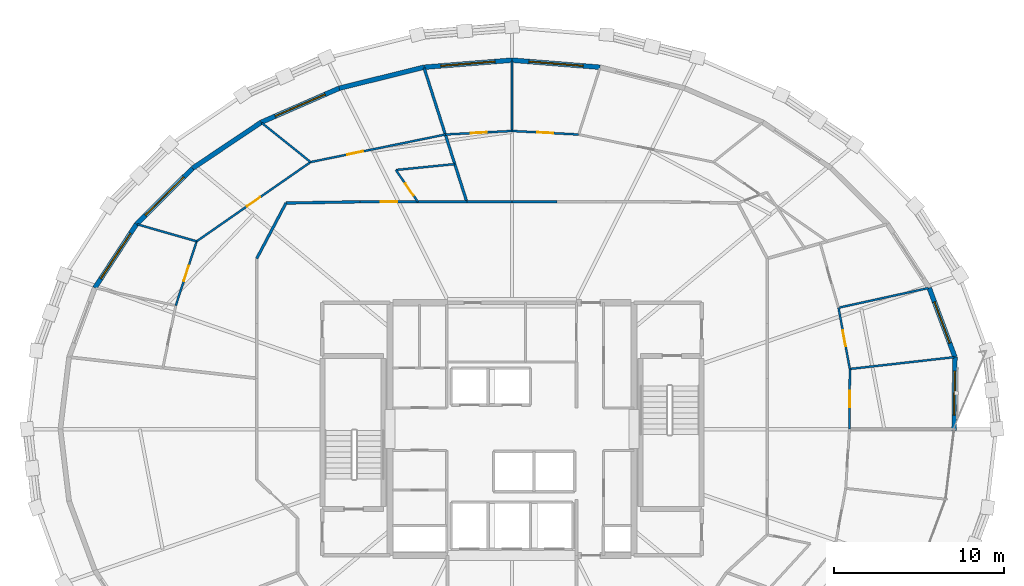
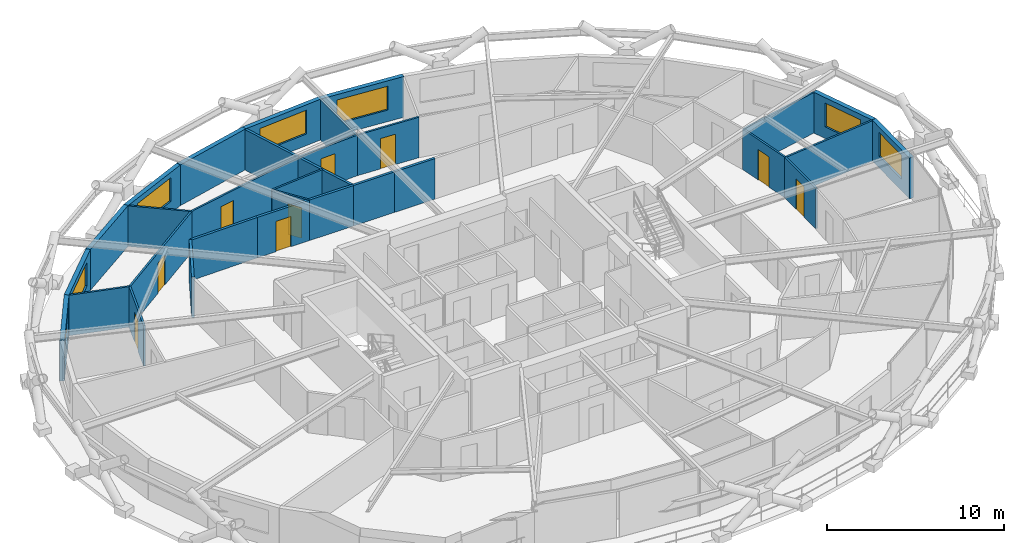
# One storey, part 17 of 21: 30 walls, 9 doors, 7 windows, 16 openings.
"""IFC4 building model written with IfcOpenShell, lengths in metres."""

from ifc_helpers import new_model, si_unit, direction, frame, frame_2d, origin, place, context, subcontext, project, spatial, rectangle, extrude, material, layer, layer_set, type_object, element, fill, save


model = new_model("IFC4")

# Units and contexts
model_context = context("Model", 3, precision=1e-05, world=origin(), true_north=direction((0.0, 1.0)))
body_context = subcontext(model_context, "Body", "Model", "MODEL_VIEW")
ifc_project = project(units=[si_unit("LENGTHUNIT", "METRE"), si_unit("AREAUNIT", "SQUARE_METRE"), si_unit("VOLUMEUNIT", "CUBIC_METRE"), si_unit("PLANEANGLEUNIT", "RADIAN"), si_unit("MASSUNIT", "GRAM", prefix="KILO")], contexts=[model_context])

# Site, building, storey
site_placement = place(None, origin())
site = spatial("IfcSite", under=ifc_project, at=site_placement, CompositionType="ELEMENT")
building_placement = place(site_placement, origin())
building = spatial("IfcBuilding", under=site, at=building_placement, Name="Veldorina Hangang Commons", CompositionType="ELEMENT")
storey_placement = place(building_placement, frame((0.0, 0.0, 128.0)))
storey = spatial("IfcBuildingStorey", under=building, at=storey_placement, Name="L32", CompositionType="ELEMENT", Elevation=128.0)

# Wall, opening, window
ifc_material_1 = material(Name="Stone Roman Travertine", Category="masonry")
ifc_layer_1 = layer(ifc_material_1, 0.280029296875)
ifc_layer_set_1 = layer_set([ifc_layer_1], Name="Stone Roman Travertine")
wall_type_1 = type_object("IfcWallType", Name="EW-TRAV-280", PredefinedType="STANDARD", material=ifc_layer_set_1)
wall_1_placement = place(storey_placement, frame((58.064453125, 23.907958984375, 0.0), z_axis=(0.0, 0.0, 1.0), x_axis=(0.011431364304, 0.99993465982, 0.0)))
wall_1 = element("IfcWall", 1, at=wall_1_placement, inside=storey, type_object=wall_type_1, Name="L32 travertine facade wall 00", PredefinedType="STANDARD", context=body_context, shape_type="SweptSolid", body=[
    extrude(rectangle(XDim=4.33544921875, YDim=0.280029296875, at=frame_2d((2.167724609375, 0.0))), origin(), (0.0, 0.0, 1.0), 2.820068359375),
])
opening_1_placement = place(wall_1_placement, frame((0.913818359375, 0.0, 0.800048828125)))
opening_1 = element("IfcOpeningElement", 2, at=opening_1_placement, cuts=wall_1, Name="Opening W-02", PredefinedType="OPENING", context=body_context, shape_type="SweptSolid", body=[
    extrude(rectangle(XDim=2.60009765625, YDim=1.64990234375, at=frame_2d((1.300048828125, 0.824951171875))), frame((0.0, 0.14990234375, 0.0), z_axis=(0.0, -1.0, 0.0), x_axis=(1.0, 0.0, 0.0)), (0.0, 0.0, 1.0), 0.300048828125),
])
ifc_material_2 = material(Name="Glass Low-E Triple IGU", Category="glass")
window_type_1 = type_object("IfcWindowType", Name="WIN-TWR-2600", PartitioningType="SINGLE_PANEL", PredefinedType="WINDOW", material=ifc_material_2)
window_1_placement = place(opening_1_placement, origin())
window_1 = element("IfcWindow", 3, at=window_1_placement, inside=storey, type_object=window_type_1, Name="L32 facade window 00", OverallHeight=1.64990234375, OverallWidth=2.60009765625, PartitioningType="SINGLE_PANEL", PredefinedType="WINDOW", context=body_context, shape_type="SweptSolid", body=[
    extrude(rectangle(XDim=2.60009765625, YDim=1.64990234375, at=frame_2d((1.300048828125, 0.824951171875))), frame((0.0, 0.030029296875, 0.0), z_axis=(0.0, -1.0, 0.0), x_axis=(1.0, 0.0, 0.0)), (0.0, 0.0, 1.0), 0.06005859375),
])
fill(opening_1, window_1)

wall_2_placement = place(storey_placement, frame((58.114013671875, 28.2431640625, 0.0), z_axis=(0.0, 0.0, 1.0), x_axis=(-0.348121742576, 0.937449333215, 0.0)))
wall_2 = element("IfcWall", 4, at=wall_2_placement, inside=storey, type_object=wall_type_1, Name="L32 travertine facade wall 01", PredefinedType="STANDARD", context=body_context, shape_type="SweptSolid", body=[
    extrude(rectangle(XDim=4.352294921875, YDim=0.280029296875, at=frame_2d((2.17626953125, 0.0))), origin(), (0.0, 0.0, 1.0), 2.820068359375),
])
opening_2_placement = place(wall_2_placement, frame((0.876220703125, 0.0, 0.800048828125)))
opening_2 = element("IfcOpeningElement", 5, at=opening_2_placement, cuts=wall_2, Name="Opening W-02", PredefinedType="OPENING", context=body_context, shape_type="SweptSolid", body=[
    extrude(rectangle(XDim=2.60009765625, YDim=1.64990234375, at=frame_2d((1.300048828125, 0.824951171875))), frame((0.0, 0.14990234375, 0.0), z_axis=(0.0, -1.0, 0.0), x_axis=(1.0, 0.0, 0.0)), (0.0, 0.0, 1.0), 0.300048828125),
])
window_2_placement = place(opening_2_placement, origin())
window_2 = element("IfcWindow", 6, at=window_2_placement, inside=storey, type_object=window_type_1, Name="L32 facade window 01", OverallHeight=1.64990234375, OverallWidth=2.60009765625, PartitioningType="SINGLE_PANEL", PredefinedType="WINDOW", context=body_context, shape_type="SweptSolid", body=[
    extrude(rectangle(XDim=2.60009765625, YDim=1.64990234375, at=frame_2d((1.300048828125, 0.824951171875))), frame((0.0, 0.030029296875, 0.0), z_axis=(0.0, -1.0, 0.0), x_axis=(1.0, 0.0, 0.0)), (0.0, 0.0, 1.0), 0.06005859375),
])
fill(opening_2, window_2)

wall_3_placement = place(storey_placement, frame((37.1943359375, 45.33203125, 0.0), z_axis=(0.0, 0.0, 1.0), x_axis=(-0.996778227936, 0.080207009129, 0.0)))
wall_3 = element("IfcWall", 7, at=wall_3_placement, inside=storey, type_object=wall_type_1, Name="L32 travertine facade wall 07", PredefinedType="STANDARD", context=body_context, shape_type="SweptSolid", body=[
    extrude(rectangle(XDim=5.211181640625, YDim=0.280029296875, at=frame_2d((2.60546875, 0.0))), origin(), (0.0, 0.0, 1.0), 2.820068359375),
])
opening_3_placement = place(wall_3_placement, frame((1.005615234375, 0.0, 0.800048828125)))
opening_3 = element("IfcOpeningElement", 8, at=opening_3_placement, cuts=wall_3, Name="Opening W-01", PredefinedType="OPENING", context=body_context, shape_type="SweptSolid", body=[
    extrude(rectangle(XDim=3.199951171875, YDim=1.64990234375, at=frame_2d((1.60009765625, 0.824951171875))), frame((0.0, 0.14990234375, 0.0), z_axis=(0.0, -1.0, 0.0), x_axis=(1.0, 0.0, 0.0)), (0.0, 0.0, 1.0), 0.300048828125),
])
window_type_2 = type_object("IfcWindowType", Name="WIN-TWR-3200", PartitioningType="SINGLE_PANEL", PredefinedType="WINDOW", material=ifc_material_2)
window_3_placement = place(opening_3_placement, origin())
window_3 = element("IfcWindow", 9, at=window_3_placement, inside=storey, type_object=window_type_2, Name="L32 facade window 07", OverallHeight=1.64990234375, OverallWidth=3.199951171875, PartitioningType="SINGLE_PANEL", PredefinedType="WINDOW", context=body_context, shape_type="SweptSolid", body=[
    extrude(rectangle(XDim=3.199951171875, YDim=1.64990234375, at=frame_2d((1.60009765625, 0.824951171875))), frame((0.0, 0.030029296875, 0.0), z_axis=(0.0, -1.0, 0.0), x_axis=(1.0, 0.0, 0.0)), (0.0, 0.0, 1.0), 0.06005859375),
])
fill(opening_3, window_3)

wall_4_placement = place(storey_placement, frame((32.0, 45.75, 0.0), z_axis=(0.0, 0.0, 1.0), x_axis=(-0.996778227936, -0.080207009129, 0.0)))
wall_4 = element("IfcWall", 10, at=wall_4_placement, inside=storey, type_object=wall_type_1, Name="L32 travertine facade wall 08", PredefinedType="STANDARD", context=body_context, shape_type="SweptSolid", body=[
    extrude(rectangle(XDim=5.211181640625, YDim=0.280029296875, at=frame_2d((2.60546875, 0.0))), origin(), (0.0, 0.0, 1.0), 2.820068359375),
])
opening_4_placement = place(wall_4_placement, frame((1.005615234375, 0.0, 0.800048828125)))
opening_4 = element("IfcOpeningElement", 11, at=opening_4_placement, cuts=wall_4, Name="Opening W-01", PredefinedType="OPENING", context=body_context, shape_type="SweptSolid", body=[
    extrude(rectangle(XDim=3.199951171875, YDim=1.64990234375, at=frame_2d((1.60009765625, 0.824951171875))), frame((0.0, 0.14990234375, 0.0), z_axis=(0.0, -1.0, 0.0), x_axis=(1.0, 0.0, 0.0)), (0.0, 0.0, 1.0), 0.300048828125),
])
window_4_placement = place(opening_4_placement, origin())
window_4 = element("IfcWindow", 12, at=window_4_placement, inside=storey, type_object=window_type_2, Name="L32 facade window 08", OverallHeight=1.64990234375, OverallWidth=3.199951171875, PartitioningType="SINGLE_PANEL", PredefinedType="WINDOW", context=body_context, shape_type="SweptSolid", body=[
    extrude(rectangle(XDim=3.199951171875, YDim=1.64990234375, at=frame_2d((1.60009765625, 0.824951171875))), frame((0.0, 0.030029296875, 0.0), z_axis=(0.0, -1.0, 0.0), x_axis=(1.0, 0.0, 0.0)), (0.0, 0.0, 1.0), 0.06005859375),
])
fill(opening_4, window_4)

# Wall
wall_5_placement = place(storey_placement, frame((26.8056640625, 45.33203125, 0.0), z_axis=(0.0, 0.0, 1.0), x_axis=(-0.970639991073, -0.240536915526, 0.0)))
element("IfcWall", 13, at=wall_5_placement, inside=storey, type_object=wall_type_1, Name="L32 travertine facade wall 09", PredefinedType="STANDARD", context=body_context, shape_type="SweptSolid", body=[
    extrude(rectangle(XDim=5.14599609375, YDim=0.280029296875, at=frame_2d((2.572998046875, 0.0))), origin(), (0.0, 0.0, 1.0), 2.820068359375),
])

# Wall, opening, window
wall_6_placement = place(storey_placement, frame((21.810791015625, 44.09423828125, 0.0), z_axis=(0.0, 0.0, 1.0), x_axis=(-0.916453831221, -0.400140444394, 0.0)))
wall_6 = element("IfcWall", 14, at=wall_6_placement, inside=storey, type_object=wall_type_1, Name="L32 travertine facade wall 10", PredefinedType="STANDARD", context=body_context, shape_type="SweptSolid", body=[
    extrude(rectangle(XDim=5.022705078125, YDim=0.280029296875, at=frame_2d((2.51123046875, 0.0))), origin(), (0.0, 0.0, 1.0), 2.820068359375),
])
opening_5_placement = place(wall_6_placement, frame((0.911376953125, 0.0, 0.800048828125)))
opening_5 = element("IfcOpeningElement", 15, at=opening_5_placement, cuts=wall_6, Name="Opening W-01", PredefinedType="OPENING", context=body_context, shape_type="SweptSolid", body=[
    extrude(rectangle(XDim=3.199951171875, YDim=1.64990234375, at=frame_2d((1.60009765625, 0.824951171875))), frame((0.0, 0.14990234375, 0.0), z_axis=(0.0, -1.0, 0.0), x_axis=(1.0, 0.0, 0.0)), (0.0, 0.0, 1.0), 0.300048828125),
])
window_5_placement = place(opening_5_placement, origin())
window_5 = element("IfcWindow", 16, at=window_5_placement, inside=storey, type_object=window_type_2, Name="L32 facade window 10", OverallHeight=1.64990234375, OverallWidth=3.199951171875, PartitioningType="SINGLE_PANEL", PredefinedType="WINDOW", context=body_context, shape_type="SweptSolid", body=[
    extrude(rectangle(XDim=3.199951171875, YDim=1.64990234375, at=frame_2d((1.60009765625, 0.824951171875))), frame((0.0, 0.030029296875, 0.0), z_axis=(0.0, -1.0, 0.0), x_axis=(1.0, 0.0, 0.0)), (0.0, 0.0, 1.0), 0.06005859375),
])
fill(opening_5, window_5)

# Wall
wall_7_placement = place(storey_placement, frame((17.207763671875, 42.08447265625, 0.0), z_axis=(0.0, 0.0, 1.0), x_axis=(-0.830609353865, -0.556855547941, 0.0)))
element("IfcWall", 17, at=wall_7_placement, inside=storey, type_object=wall_type_1, Name="L32 travertine facade wall 11", PredefinedType="STANDARD", context=body_context, shape_type="SweptSolid", body=[
    extrude(rectangle(XDim=4.857666015625, YDim=0.280029296875, at=frame_2d((2.4287109375, 0.0))), origin(), (0.0, 0.0, 1.0), 2.820068359375),
])

# Wall, opening, window
wall_8_placement = place(storey_placement, frame((13.1728515625, 39.37939453125, 0.0), z_axis=(0.0, 0.0, 1.0), x_axis=(-0.708724927863, -0.705484923032, 0.0)))
wall_8 = element("IfcWall", 18, at=wall_8_placement, inside=storey, type_object=wall_type_1, Name="L32 travertine facade wall 12", PredefinedType="STANDARD", context=body_context, shape_type="SweptSolid", body=[
    extrude(rectangle(XDim=4.671875, YDim=0.280029296875, at=frame_2d((2.3359375, 0.0))), origin(), (0.0, 0.0, 1.0), 2.820068359375),
])
opening_6_placement = place(wall_8_placement, frame((0.736083984375, 0.0, 0.800048828125)))
opening_6 = element("IfcOpeningElement", 19, at=opening_6_placement, cuts=wall_8, Name="Opening W-01", PredefinedType="OPENING", context=body_context, shape_type="SweptSolid", body=[
    extrude(rectangle(XDim=3.199951171875, YDim=1.64990234375, at=frame_2d((1.60009765625, 0.824951171875))), frame((0.0, 0.14990234375, 0.0), z_axis=(0.0, -1.0, 0.0), x_axis=(1.0, 0.0, 0.0)), (0.0, 0.0, 1.0), 0.300048828125),
])
window_6_placement = place(opening_6_placement, origin())
window_6 = element("IfcWindow", 20, at=window_6_placement, inside=storey, type_object=window_type_2, Name="L32 facade window 12", OverallHeight=1.64990234375, OverallWidth=3.199951171875, PartitioningType="SINGLE_PANEL", PredefinedType="WINDOW", context=body_context, shape_type="SweptSolid", body=[
    extrude(rectangle(XDim=3.199951171875, YDim=1.64990234375, at=frame_2d((1.60009765625, 0.824951171875))), frame((0.0, 0.030029296875, 0.0), z_axis=(0.0, -1.0, 0.0), x_axis=(1.0, 0.0, 0.0)), (0.0, 0.0, 1.0), 0.06005859375),
])
fill(opening_6, window_6)

wall_9_placement = place(storey_placement, frame((9.86181640625, 36.08349609375, 0.0), z_axis=(0.0, 0.0, 1.0), x_axis=(-0.547571349255, -0.836758996053, 0.0)))
wall_9 = element("IfcWall", 21, at=wall_9_placement, inside=storey, type_object=wall_type_1, Name="L32 travertine facade wall 13", PredefinedType="STANDARD", context=body_context, shape_type="SweptSolid", body=[
    extrude(rectangle(XDim=4.493896484375, YDim=0.280029296875, at=frame_2d((2.2470703125, 0.0))), origin(), (0.0, 0.0, 1.0), 2.820068359375),
])
opening_7_placement = place(wall_9_placement, frame((0.64697265625, 0.0, 0.800048828125)))
opening_7 = element("IfcOpeningElement", 22, at=opening_7_placement, cuts=wall_9, Name="Opening W-01", PredefinedType="OPENING", context=body_context, shape_type="SweptSolid", body=[
    extrude(rectangle(XDim=3.199951171875, YDim=1.64990234375, at=frame_2d((1.60009765625, 0.824951171875))), frame((0.0, 0.14990234375, 0.0), z_axis=(0.0, -1.0, 0.0), x_axis=(1.0, 0.0, 0.0)), (0.0, 0.0, 1.0), 0.300048828125),
])
window_7_placement = place(opening_7_placement, origin())
window_7 = element("IfcWindow", 23, at=window_7_placement, inside=storey, type_object=window_type_2, Name="L32 facade window 13", OverallHeight=1.64990234375, OverallWidth=3.199951171875, PartitioningType="SINGLE_PANEL", PredefinedType="WINDOW", context=body_context, shape_type="SweptSolid", body=[
    extrude(rectangle(XDim=3.199951171875, YDim=1.64990234375, at=frame_2d((1.60009765625, 0.824951171875))), frame((0.0, 0.030029296875, 0.0), z_axis=(0.0, -1.0, 0.0), x_axis=(1.0, 0.0, 0.0)), (0.0, 0.0, 1.0), 0.06005859375),
])
fill(opening_7, window_7)

# Walls
ifc_material_3 = material(Name="Gypsum Fire-Rated Twin Stud Wall", Category="gypsum")
ifc_layer_2 = layer(ifc_material_3, 0.159912109375)
ifc_layer_set_2 = layer_set([ifc_layer_2], Name="Gypsum Fire-Rated Twin Stud Wall")
wall_type_2 = type_object("IfcWallType", Name="WL-FIRE-160", PredefinedType="SOLIDWALL", material=ifc_layer_set_2)
for number, where, z_axis, x_axis, name in (
    (24, (34.665283203125, 37.39990234375, 0.0), (0.0, 0.0, 1.0), (-1.0, 0.0, 0.0), "L32 U-corridor outer wall 07 055"),
    (25, (32.0, 37.39990234375, 0.0), (0.0, 0.0, 1.0), (-1.0, 0.0, 0.0), "L32 U-corridor outer wall 08 056"),
):
    element("IfcWall", number, at=place(storey_placement, frame(where, z_axis=z_axis, x_axis=x_axis)), inside=storey, type_object=wall_type_2, Name=name, PredefinedType="SOLIDWALL", context=body_context, shape_type="SweptSolid", body=[
        extrude(rectangle(XDim=2.665283203125, YDim=0.159912109375, at=frame_2d((1.33251953125, 0.0))), origin(), (0.0, 0.0, 1.0), 2.800048828125),
    ])
wall_10_placement = place(storey_placement, frame((29.334716796875, 37.39990234375, 0.0), z_axis=(0.0, 0.0, 1.0), x_axis=(-1.0, 0.0, 0.0)))
element("IfcWall", 26, at=wall_10_placement, inside=storey, type_object=wall_type_2, Name="L32 U-corridor outer wall 09 057", PredefinedType="SOLIDWALL", context=body_context, shape_type="SweptSolid", body=[
    extrude(rectangle(XDim=2.88525390625, YDim=0.159912109375, at=frame_2d((1.442626953125, 0.0))), origin(), (0.0, 0.0, 1.0), 2.800048828125),
])

# Wall, opening, door
wall_11_placement = place(storey_placement, frame((26.449462890625, 37.39990234375, 0.0), z_axis=(0.0, 0.0, 1.0), x_axis=(-1.0, 0.0, 0.0)))
wall_11 = element("IfcWall", 27, at=wall_11_placement, inside=storey, type_object=wall_type_2, Name="L32 U-corridor outer wall 10 058", PredefinedType="SOLIDWALL", context=body_context, shape_type="SweptSolid", body=[
    extrude(rectangle(XDim=3.403076171875, YDim=0.159912109375, at=frame_2d((1.70166015625, 0.0))), origin(), (0.0, 0.0, 1.0), 2.800048828125),
])
opening_8_placement = place(wall_11_placement, frame((1.201416015625, 0.0, 0.0)))
opening_8 = element("IfcOpeningElement", 28, at=opening_8_placement, cuts=wall_11, Name="Opening D-06", PredefinedType="OPENING", context=body_context, shape_type="SweptSolid", body=[
    extrude(rectangle(XDim=1.0, YDim=2.10009765625, at=frame_2d((0.5, 1.050048828125))), frame((0.0, 0.08984375, 0.0), z_axis=(0.0, -1.0, 0.0), x_axis=(1.0, 0.0, 0.0)), (0.0, 0.0, 1.0), 0.179931640625),
])
ifc_material_4 = material(Name="Timber Fire-Rated Entrance Core", Category="wood")
door_type_1 = type_object("IfcDoorType", Name="DR-UNIT-1000", OperationType="SINGLE_SWING_LEFT", PredefinedType="DOOR", material=ifc_material_4)
door_1_placement = place(opening_8_placement, origin())
door_1 = element("IfcDoor", 29, at=door_1_placement, inside=storey, type_object=door_type_1, Name="L32 Cluster 4 entrance door 037", OperationType="SINGLE_SWING_LEFT", OverallHeight=2.10009765625, OverallWidth=1.0, PredefinedType="DOOR", context=body_context, shape_type="SweptSolid", body=[
    extrude(rectangle(XDim=1.0, YDim=2.10009765625, at=frame_2d((0.5, 1.050048828125))), frame((0.0, 0.02490234375, 0.0), z_axis=(0.0, -1.0, 0.0), x_axis=(1.0, 0.0, 0.0)), (0.0, 0.0, 1.0), 0.050048828125),
])
fill(opening_8, door_1)

# Walls
wall_12_placement = place(storey_placement, frame((23.04638671875, 37.39990234375, 0.0), z_axis=(0.0, 0.0, 1.0), x_axis=(-0.999853038912, -0.017143528788, 0.0)))
element("IfcWall", 30, at=wall_12_placement, inside=storey, type_object=wall_type_2, Name="L32 U-corridor outer wall 11 059", PredefinedType="SOLIDWALL", context=body_context, shape_type="SweptSolid", body=[
    extrude(rectangle(XDim=4.3720703125, YDim=0.159912109375, at=frame_2d((2.18603515625, 0.0))), origin(), (0.0, 0.0, 1.0), 2.800048828125),
])
wall_13_placement = place(storey_placement, frame((18.675048828125, 37.324951171875, 0.0), z_axis=(0.0, 0.0, 1.0), x_axis=(-0.466737093093, -0.884396113702, 0.0)))
element("IfcWall", 31, at=wall_13_placement, inside=storey, type_object=wall_type_2, Name="L32 U-corridor outer wall 12 060", PredefinedType="SOLIDWALL", context=body_context, shape_type="SweptSolid", body=[
    extrude(rectangle(XDim=3.696044921875, YDim=0.159912109375, at=frame_2d((1.84814453125, 0.0))), origin(), (0.0, 0.0, 1.0), 2.800048828125),
])
wall_14_placement = place(storey_placement, frame((29.334716796875, 37.39990234375, 0.0), z_axis=(0.0, 0.0, 1.0), x_axis=(-0.303774698935, 0.952743896484, 0.0)))
element("IfcWall", 32, at=wall_14_placement, inside=storey, type_object=wall_type_2, Name="L32 Unit party wall 09 109", PredefinedType="SOLIDWALL", context=body_context, shape_type="SweptSolid", body=[
    extrude(rectangle(XDim=8.275634765625, YDim=0.159912109375, at=frame_2d((4.1376953125, 0.0))), origin(), (0.0, 0.0, 1.0), 2.800048828125),
])

# Wall, opening, door
ifc_material_5 = material(Name="Gypsum Acoustic Stud Partition", Category="gypsum")
ifc_layer_3 = layer(ifc_material_5, 0.1201171875)
ifc_layer_set_3 = layer_set([ifc_layer_3], Name="Gypsum Acoustic Stud Partition")
wall_type_3 = type_object("IfcWallType", Name="WL-PART-120", PredefinedType="PARTITIONING", material=ifc_layer_set_3)
wall_15_placement = place(storey_placement, frame((51.896728515625, 24.0, 0.0), z_axis=(0.0, 0.0, 1.0), x_axis=(0.006063000038, 0.999981619846, 0.0)))
wall_15 = element("IfcWall", 33, at=wall_15_placement, inside=storey, type_object=wall_type_3, Name="L32 Cluster 2 bed 4 front wall 093", PredefinedType="PARTITIONING", context=body_context, shape_type="SweptSolid", body=[
    extrude(rectangle(XDim=3.54345703125, YDim=0.1201171875, at=frame_2d((1.771728515625, 0.0))), origin(), (0.0, 0.0, 1.0), 2.800048828125),
])
opening_9_placement = place(wall_15_placement, frame((1.296630859375, 0.0, 0.0)))
opening_9 = element("IfcOpeningElement", 34, at=opening_9_placement, cuts=wall_15, Name="Opening D-02", PredefinedType="OPENING", context=body_context, shape_type="SweptSolid", body=[
    extrude(rectangle(XDim=0.949951171875, YDim=2.10009765625, at=frame_2d((0.47509765625, 1.050048828125))), frame((0.0, 0.070068359375, 0.0), z_axis=(0.0, -1.0, 0.0), x_axis=(1.0, 0.0, 0.0)), (0.0, 0.0, 1.0), 0.14013671875),
])
ifc_material_6 = material(Name="Timber Solid Core Acoustic", Category="wood")
door_type_2 = type_object("IfcDoorType", Name="DR-INT-950", OperationType="SINGLE_SWING_LEFT", PredefinedType="DOOR", material=ifc_material_6)
door_2_placement = place(opening_9_placement, origin())
door_2 = element("IfcDoor", 35, at=door_2_placement, inside=storey, type_object=door_type_2, Name="L32 Cluster 2 bed 4 door 027", OperationType="SINGLE_SWING_LEFT", OverallHeight=2.10009765625, OverallWidth=0.949951171875, PredefinedType="DOOR", context=body_context, shape_type="SweptSolid", body=[
    extrude(rectangle(XDim=0.949951171875, YDim=2.10009765625, at=frame_2d((0.47509765625, 1.050048828125))), frame((0.0, 0.02490234375, 0.0), z_axis=(0.0, -1.0, 0.0), x_axis=(1.0, 0.0, 0.0)), (0.0, 0.0, 1.0), 0.050048828125),
])
fill(opening_9, door_2)

wall_16_placement = place(storey_placement, frame((51.918212890625, 27.54345703125, 0.0), z_axis=(0.0, 0.0, 1.0), x_axis=(-0.181629603626, 0.983367015456, 0.0)))
wall_16 = element("IfcWall", 36, at=wall_16_placement, inside=storey, type_object=wall_type_3, Name="L32 Cluster 2 bed 5 front wall 095", PredefinedType="PARTITIONING", context=body_context, shape_type="SweptSolid", body=[
    extrude(rectangle(XDim=3.6708984375, YDim=0.1201171875, at=frame_2d((1.83544921875, 0.0))), origin(), (0.0, 0.0, 1.0), 2.800048828125),
])
opening_10_placement = place(wall_16_placement, frame((1.3603515625, 0.0, 0.0)))
opening_10 = element("IfcOpeningElement", 37, at=opening_10_placement, cuts=wall_16, Name="Opening D-02", PredefinedType="OPENING", context=body_context, shape_type="SweptSolid", body=[
    extrude(rectangle(XDim=0.949951171875, YDim=2.10009765625, at=frame_2d((0.47509765625, 1.050048828125))), frame((0.0, 0.070068359375, 0.0), z_axis=(0.0, -1.0, 0.0), x_axis=(1.0, 0.0, 0.0)), (0.0, 0.0, 1.0), 0.14013671875),
])
door_3_placement = place(opening_10_placement, origin())
door_3 = element("IfcDoor", 38, at=door_3_placement, inside=storey, type_object=door_type_2, Name="L32 Cluster 2 bed 5 door 028", OperationType="SINGLE_SWING_RIGHT", OverallHeight=2.10009765625, OverallWidth=0.949951171875, PredefinedType="DOOR", context=body_context, shape_type="SweptSolid", body=[
    extrude(rectangle(XDim=0.949951171875, YDim=2.10009765625, at=frame_2d((0.47509765625, 1.050048828125))), frame((0.0, 0.02490234375, 0.0), z_axis=(0.0, -1.0, 0.0), x_axis=(1.0, 0.0, 0.0)), (0.0, 0.0, 1.0), 0.050048828125),
])
fill(opening_10, door_3)

# Walls
wall_17_placement = place(storey_placement, frame((51.918212890625, 27.54345703125, 0.0), z_axis=(0.0, 0.0, 1.0), x_axis=(0.993683316952, 0.112220611349, 0.0)))
element("IfcWall", 39, at=wall_17_placement, inside=storey, type_object=wall_type_3, Name="L32 Cluster 2 bed divider 4 096", PredefinedType="PARTITIONING", context=body_context, shape_type="SweptSolid", body=[
    extrude(rectangle(XDim=6.18505859375, YDim=0.1201171875, at=frame_2d((3.092529296875, 0.0))), origin(), (0.0, 0.0, 1.0), 2.800048828125),
])
wall_18_placement = place(storey_placement, frame((51.25146484375, 31.1533203125, 0.0), z_axis=(0.0, 0.0, 1.0), x_axis=(0.976895612472, 0.213717014607, 0.0)))
element("IfcWall", 40, at=wall_18_placement, inside=storey, type_object=wall_type_3, Name="L32 Cluster 2 bed divider 5 098", PredefinedType="PARTITIONING", context=body_context, shape_type="SweptSolid", body=[
    extrude(rectangle(XDim=5.423828125, YDim=0.1201171875, at=frame_2d((2.7119140625, 0.0))), origin(), (0.0, 0.0, 1.0), 2.800048828125),
])

# Wall, opening, door
wall_19_placement = place(storey_placement, frame((35.929931640625, 41.365966796875, 0.0), z_axis=(0.0, 0.0, 1.0), x_axis=(-0.998589062602, 0.053102580455, 0.0)))
wall_19 = element("IfcWall", 41, at=wall_19_placement, inside=storey, type_object=wall_type_3, Name="L32 Cluster 3 bed 3 front wall 105", PredefinedType="PARTITIONING", context=body_context, shape_type="SweptSolid", body=[
    extrude(rectangle(XDim=3.935546875, YDim=0.1201171875, at=frame_2d((1.9677734375, 0.0))), origin(), (0.0, 0.0, 1.0), 2.800048828125),
])
opening_11_placement = place(wall_19_placement, frame((1.492919921875, 0.0, 0.0)))
opening_11 = element("IfcOpeningElement", 42, at=opening_11_placement, cuts=wall_19, Name="Opening D-02", PredefinedType="OPENING", context=body_context, shape_type="SweptSolid", body=[
    extrude(rectangle(XDim=0.949951171875, YDim=2.10009765625, at=frame_2d((0.47509765625, 1.050048828125))), frame((0.0, 0.070068359375, 0.0), z_axis=(0.0, -1.0, 0.0), x_axis=(1.0, 0.0, 0.0)), (0.0, 0.0, 1.0), 0.14013671875),
])
door_4_placement = place(opening_11_placement, origin())
door_4 = element("IfcDoor", 43, at=door_4_placement, inside=storey, type_object=door_type_2, Name="L32 Cluster 3 bed 3 door 034", OperationType="SINGLE_SWING_RIGHT", OverallHeight=2.10009765625, OverallWidth=0.949951171875, PredefinedType="DOOR", context=body_context, shape_type="SweptSolid", body=[
    extrude(rectangle(XDim=0.949951171875, YDim=2.10009765625, at=frame_2d((0.47509765625, 1.050048828125))), frame((0.0, 0.02490234375, 0.0), z_axis=(0.0, -1.0, 0.0), x_axis=(1.0, 0.0, 0.0)), (0.0, 0.0, 1.0), 0.050048828125),
])
fill(opening_11, door_4)

wall_20_placement = place(storey_placement, frame((32.0, 41.574951171875, 0.0), z_axis=(0.0, 0.0, 1.0), x_axis=(-0.998589062602, -0.053102580455, 0.0)))
wall_20 = element("IfcWall", 44, at=wall_20_placement, inside=storey, type_object=wall_type_3, Name="L32 Cluster 3 bed 4 front wall 107", PredefinedType="PARTITIONING", context=body_context, shape_type="SweptSolid", body=[
    extrude(rectangle(XDim=3.935546875, YDim=0.1201171875, at=frame_2d((1.9677734375, 0.0))), origin(), (0.0, 0.0, 1.0), 2.800048828125),
])
opening_12_placement = place(wall_20_placement, frame((1.492919921875, 0.0, 0.0)))
opening_12 = element("IfcOpeningElement", 45, at=opening_12_placement, cuts=wall_20, Name="Opening D-02", PredefinedType="OPENING", context=body_context, shape_type="SweptSolid", body=[
    extrude(rectangle(XDim=0.949951171875, YDim=2.10009765625, at=frame_2d((0.47509765625, 1.050048828125))), frame((0.0, 0.070068359375, 0.0), z_axis=(0.0, -1.0, 0.0), x_axis=(1.0, 0.0, 0.0)), (0.0, 0.0, 1.0), 0.14013671875),
])
door_5_placement = place(opening_12_placement, origin())
door_5 = element("IfcDoor", 46, at=door_5_placement, inside=storey, type_object=door_type_2, Name="L32 Cluster 3 bed 4 door 035", OperationType="SINGLE_SWING_LEFT", OverallHeight=2.10009765625, OverallWidth=0.949951171875, PredefinedType="DOOR", context=body_context, shape_type="SweptSolid", body=[
    extrude(rectangle(XDim=0.949951171875, YDim=2.10009765625, at=frame_2d((0.47509765625, 1.050048828125))), frame((0.0, 0.02490234375, 0.0), z_axis=(0.0, -1.0, 0.0), x_axis=(1.0, 0.0, 0.0)), (0.0, 0.0, 1.0), 0.050048828125),
])
fill(opening_12, door_5)

# Walls
wall_21_placement = place(storey_placement, frame((32.0, 41.574951171875, 0.0), z_axis=(0.0, 0.0, 1.0), x_axis=(0.0, 1.0, 0.0)))
element("IfcWall", 47, at=wall_21_placement, inside=storey, type_object=wall_type_3, Name="L32 Cluster 3 bed divider 3 108", PredefinedType="PARTITIONING", context=body_context, shape_type="SweptSolid", body=[
    extrude(rectangle(XDim=4.125, YDim=0.1201171875, at=frame_2d((2.0625, 0.0))), origin(), (0.0, 0.0, 1.0), 2.800048828125),
])
wall_22_placement = place(storey_placement, frame((28.62646484375, 39.62109375, 0.0), z_axis=(0.0, 0.0, 1.0), x_axis=(-0.995062761534, -0.099247673062, 0.0)))
element("IfcWall", 48, at=wall_22_placement, inside=storey, type_object=wall_type_3, Name="L32 Cluster 4 bath front wall 110", PredefinedType="PARTITIONING", context=body_context, shape_type="SweptSolid", body=[
    extrude(rectangle(XDim=3.4931640625, YDim=0.1201171875, at=frame_2d((1.74658203125, 0.0))), origin(), (0.0, 0.0, 1.0), 2.800048828125),
])

# Wall, opening, door
wall_23_placement = place(storey_placement, frame((26.449462890625, 37.39990234375, 0.0), z_axis=(0.0, 0.0, 1.0), x_axis=(-0.56953281294, 0.821968597322, 0.0)))
wall_23 = element("IfcWall", 49, at=wall_23_placement, inside=storey, type_object=wall_type_3, Name="L32 Cluster 4 bath side wall 111", PredefinedType="PARTITIONING", context=body_context, shape_type="SweptSolid", body=[
    extrude(rectangle(XDim=2.280517578125, YDim=0.1201171875, at=frame_2d((1.14013671875, 0.0))), origin(), (0.0, 0.0, 1.0), 2.800048828125),
])
opening_13_placement = place(wall_23_placement, frame((0.43994140625, 0.0, 0.0)))
opening_13 = element("IfcOpeningElement", 50, at=opening_13_placement, cuts=wall_23, Name="Opening D-01", PredefinedType="OPENING", context=body_context, shape_type="SweptSolid", body=[
    extrude(rectangle(XDim=0.860107421875, YDim=2.10009765625, at=frame_2d((0.43017578125, 1.050048828125))), frame((0.0, 0.070068359375, 0.0), z_axis=(0.0, -1.0, 0.0), x_axis=(1.0, 0.0, 0.0)), (0.0, 0.0, 1.0), 0.14013671875),
])
ifc_material_7 = material(Name="Timber Moisture-Resistant Core", Category="wood")
door_type_3 = type_object("IfcDoorType", Name="DR-WET-860", OperationType="SINGLE_SWING_LEFT", PredefinedType="DOOR", material=ifc_material_7)
door_6_placement = place(opening_13_placement, origin())
door_6 = element("IfcDoor", 51, at=door_6_placement, inside=storey, type_object=door_type_3, Name="L32 Cluster 4 shared bathroom door 036", OperationType="SINGLE_SWING_RIGHT", OverallHeight=2.10009765625, OverallWidth=0.860107421875, PredefinedType="DOOR", context=body_context, shape_type="SweptSolid", body=[
    extrude(rectangle(XDim=0.860107421875, YDim=2.10009765625, at=frame_2d((0.43017578125, 1.050048828125))), frame((0.0, 0.02490234375, 0.0), z_axis=(0.0, -1.0, 0.0), x_axis=(1.0, 0.0, 0.0)), (0.0, 0.0, 1.0), 0.050048828125),
])
fill(opening_13, door_6)

wall_24_placement = place(storey_placement, frame((28.070068359375, 41.365966796875, 0.0), z_axis=(0.0, 0.0, 1.0), x_axis=(-0.979737902763, -0.20028390322, 0.0)))
wall_24 = element("IfcWall", 52, at=wall_24_placement, inside=storey, type_object=wall_type_3, Name="L32 Cluster 4 bed 1 front wall 112", PredefinedType="PARTITIONING", context=body_context, shape_type="SweptSolid", body=[
    extrude(rectangle(XDim=8.107421875, YDim=0.1201171875, at=frame_2d((4.0537109375, 0.0))), origin(), (0.0, 0.0, 1.0), 2.800048828125),
])
opening_14_placement = place(wall_24_placement, frame((4.959716796875, 0.0, 0.0)))
opening_14 = element("IfcOpeningElement", 53, at=opening_14_placement, cuts=wall_24, Name="Opening D-02", PredefinedType="OPENING", context=body_context, shape_type="SweptSolid", body=[
    extrude(rectangle(XDim=0.949951171875, YDim=2.10009765625, at=frame_2d((0.47509765625, 1.050048828125))), frame((0.0, 0.070068359375, 0.0), z_axis=(0.0, -1.0, 0.0), x_axis=(1.0, 0.0, 0.0)), (0.0, 0.0, 1.0), 0.14013671875),
])
door_7_placement = place(opening_14_placement, origin())
door_7 = element("IfcDoor", 54, at=door_7_placement, inside=storey, type_object=door_type_2, Name="L32 Cluster 4 bed 1 door 038", OperationType="SINGLE_SWING_RIGHT", OverallHeight=2.10009765625, OverallWidth=0.949951171875, PredefinedType="DOOR", context=body_context, shape_type="SweptSolid", body=[
    extrude(rectangle(XDim=0.949951171875, YDim=2.10009765625, at=frame_2d((0.47509765625, 1.050048828125))), frame((0.0, 0.02490234375, 0.0), z_axis=(0.0, -1.0, 0.0), x_axis=(1.0, 0.0, 0.0)), (0.0, 0.0, 1.0), 0.050048828125),
])
fill(opening_14, door_7)

wall_25_placement = place(storey_placement, frame((20.126953125, 39.7421875, 0.0), z_axis=(0.0, 0.0, 1.0), x_axis=(-0.821081459347, -0.570811034508, 0.0)))
wall_25 = element("IfcWall", 55, at=wall_25_placement, inside=storey, type_object=wall_type_3, Name="L32 Cluster 4 bed 2 front wall 113", PredefinedType="PARTITIONING", context=body_context, shape_type="SweptSolid", body=[
    extrude(rectangle(XDim=8.185546875, YDim=0.1201171875, at=frame_2d((4.0927734375, 0.0))), origin(), (0.0, 0.0, 1.0), 2.800048828125),
])
opening_15_placement = place(wall_25_placement, frame((3.617919921875, 0.0, 0.0)))
opening_15 = element("IfcOpeningElement", 56, at=opening_15_placement, cuts=wall_25, Name="Opening D-02", PredefinedType="OPENING", context=body_context, shape_type="SweptSolid", body=[
    extrude(rectangle(XDim=0.949951171875, YDim=2.10009765625, at=frame_2d((0.47509765625, 1.050048828125))), frame((0.0, 0.070068359375, 0.0), z_axis=(0.0, -1.0, 0.0), x_axis=(1.0, 0.0, 0.0)), (0.0, 0.0, 1.0), 0.14013671875),
])
door_8_placement = place(opening_15_placement, origin())
door_8 = element("IfcDoor", 57, at=door_8_placement, inside=storey, type_object=door_type_2, Name="L32 Cluster 4 bed 2 door 039", OperationType="SINGLE_SWING_LEFT", OverallHeight=2.10009765625, OverallWidth=0.949951171875, PredefinedType="DOOR", context=body_context, shape_type="SweptSolid", body=[
    extrude(rectangle(XDim=0.949951171875, YDim=2.10009765625, at=frame_2d((0.47509765625, 1.050048828125))), frame((0.0, 0.02490234375, 0.0), z_axis=(0.0, -1.0, 0.0), x_axis=(1.0, 0.0, 0.0)), (0.0, 0.0, 1.0), 0.050048828125),
])
fill(opening_15, door_8)

# Wall
wall_26_placement = place(storey_placement, frame((20.126953125, 39.7421875, 0.0), z_axis=(0.0, 0.0, 1.0), x_axis=(-0.780010206727, 0.625766791547, 0.0)))
element("IfcWall", 58, at=wall_26_placement, inside=storey, type_object=wall_type_3, Name="L32 Cluster 4 bed divider 1 114", PredefinedType="PARTITIONING", context=body_context, shape_type="SweptSolid", body=[
    extrude(rectangle(XDim=3.692626953125, YDim=0.1201171875, at=frame_2d((1.84619140625, 0.0))), origin(), (0.0, 0.0, 1.0), 2.800048828125),
])

# Wall, opening, door
wall_27_placement = place(storey_placement, frame((13.406005859375, 35.06982421875, 0.0), z_axis=(0.0, 0.0, 1.0), x_axis=(-0.308702409374, -0.951158673643, 0.0)))
wall_27 = element("IfcWall", 59, at=wall_27_placement, inside=storey, type_object=wall_type_3, Name="L32 Cluster 4 bed 3 front wall 115", PredefinedType="PARTITIONING", context=body_context, shape_type="SweptSolid", body=[
    extrude(rectangle(XDim=3.98583984375, YDim=0.1201171875, at=frame_2d((1.992919921875, 0.0))), origin(), (0.0, 0.0, 1.0), 2.800048828125),
])
opening_16_placement = place(wall_27_placement, frame((1.517822265625, 0.0, 0.0)))
opening_16 = element("IfcOpeningElement", 60, at=opening_16_placement, cuts=wall_27, Name="Opening D-02", PredefinedType="OPENING", context=body_context, shape_type="SweptSolid", body=[
    extrude(rectangle(XDim=0.949951171875, YDim=2.10009765625, at=frame_2d((0.47509765625, 1.050048828125))), frame((0.0, 0.070068359375, 0.0), z_axis=(0.0, -1.0, 0.0), x_axis=(1.0, 0.0, 0.0)), (0.0, 0.0, 1.0), 0.14013671875),
])
door_9_placement = place(opening_16_placement, origin())
door_9 = element("IfcDoor", 61, at=door_9_placement, inside=storey, type_object=door_type_2, Name="L32 Cluster 4 bed 3 door 040", OperationType="SINGLE_SWING_RIGHT", OverallHeight=2.10009765625, OverallWidth=0.949951171875, PredefinedType="DOOR", context=body_context, shape_type="SweptSolid", body=[
    extrude(rectangle(XDim=0.949951171875, YDim=2.10009765625, at=frame_2d((0.47509765625, 1.050048828125))), frame((0.0, 0.02490234375, 0.0), z_axis=(0.0, -1.0, 0.0), x_axis=(1.0, 0.0, 0.0)), (0.0, 0.0, 1.0), 0.050048828125),
])
fill(opening_16, door_9)

# Wall
wall_28_placement = place(storey_placement, frame((13.406005859375, 35.06982421875, 0.0), z_axis=(0.0, 0.0, 1.0), x_axis=(-0.961442831219, 0.275004876863, 0.0)))
element("IfcWall", 62, at=wall_28_placement, inside=storey, type_object=wall_type_3, Name="L32 Cluster 4 bed divider 2 116", PredefinedType="PARTITIONING", context=body_context, shape_type="SweptSolid", body=[
    extrude(rectangle(XDim=3.63623046875, YDim=0.1201171875, at=frame_2d((1.818115234375, 0.0))), origin(), (0.0, 0.0, 1.0), 2.800048828125),
])

save(model, "model.ifc")
